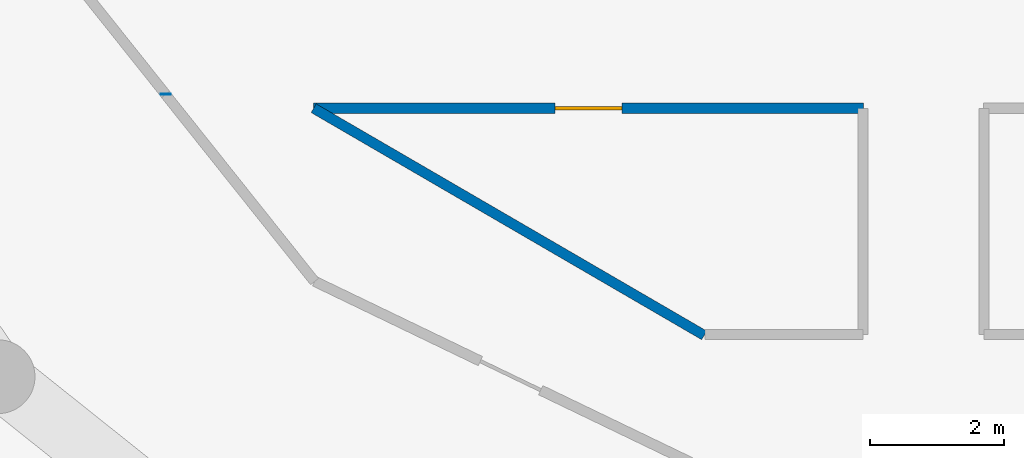
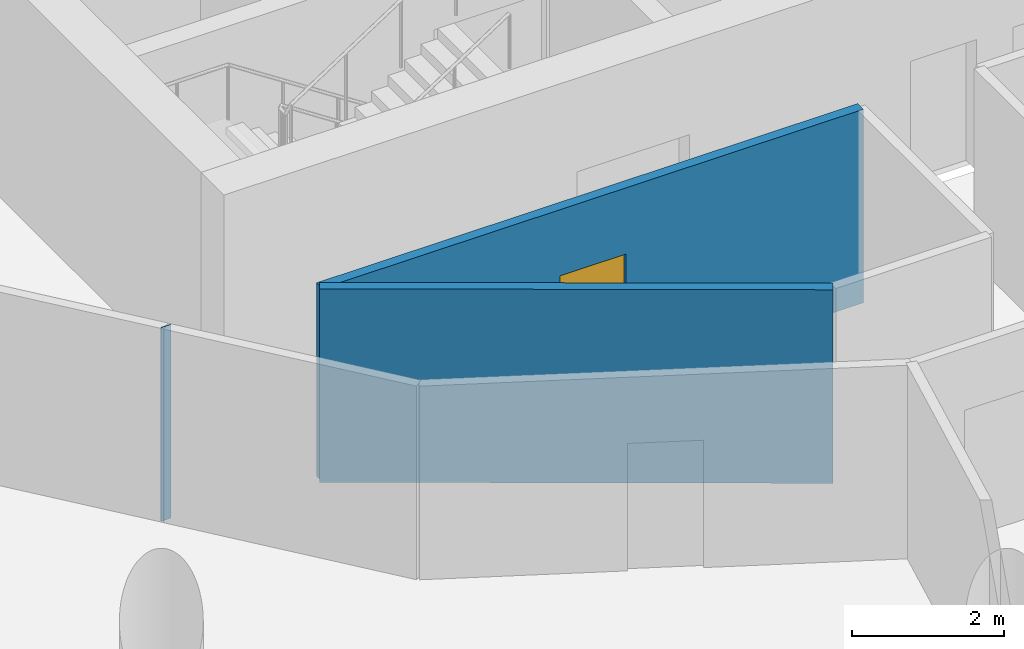
# One storey, part 3 of 13: 3 walls, 1 door, 1 opening.
"""IFC4 building model written with IfcOpenShell, lengths in metres."""

from ifc_helpers import new_model, si_unit, direction, frame, frame_2d, origin, place, context, subcontext, project, spatial, rectangle, extrude, material, layer, layer_set, type_object, element, fill, save


model = new_model("IFC4")

# Units and contexts
model_context = context("Model", 3, precision=1e-05, world=origin(), true_north=direction((0.0, 1.0)))
body_context = subcontext(model_context, "Body", "Model", "MODEL_VIEW")
ifc_project = project(units=[si_unit("LENGTHUNIT", "METRE"), si_unit("AREAUNIT", "SQUARE_METRE"), si_unit("VOLUMEUNIT", "CUBIC_METRE"), si_unit("PLANEANGLEUNIT", "RADIAN"), si_unit("MASSUNIT", "GRAM", prefix="KILO")], contexts=[model_context])

# Site, building, storey
site_placement = place(None, origin())
site = spatial("IfcSite", under=ifc_project, at=site_placement, CompositionType="ELEMENT")
building_placement = place(site_placement, origin())
building = spatial("IfcBuilding", under=site, at=building_placement, Name="Tracery Tower", CompositionType="ELEMENT")
storey_placement = place(building_placement, frame((0.0, 0.0, 270.60009765625)))
storey = spatial("IfcBuildingStorey", under=building, at=storey_placement, Name="L70", CompositionType="ELEMENT", Elevation=270.60009765625)

# Wall, opening, door
ifc_material_1 = material(Name="Plasterboard on steel studs", Category="steel")
ifc_layer = layer(ifc_material_1, 0.14990234375)
ifc_layer_set = layer_set([ifc_layer], Name="Partition 150 corridor wall")
wall_type = type_object("IfcWallType", Name="Partition 150 corridor wall", PredefinedType="PARTITIONING", material=ifc_layer_set)
wall_1_placement = place(storey_placement, frame((-9.092041015625, -8.800048828125, 0.0), z_axis=(0.0, 0.0, 1.0), x_axis=(1.0, 0.0, 0.0)))
wall_1 = element("IfcWall", 1, at=wall_1_placement, inside=storey, type_object=wall_type, Name="Corridor wall RC5-010", PredefinedType="PARTITIONING", context=body_context, shape_type="SweptSolid", body=[
    extrude(rectangle(XDim=8.196044921875, YDim=0.14990234375, at=frame_2d((4.09814453125, 0.0))), origin(), (0.0, 0.0, 1.0), 3.099853515625),
])
opening_placement = place(wall_1_placement, frame((3.597900390625, 0.0, 0.0)))
opening = element("IfcOpeningElement", 2, at=opening_placement, cuts=wall_1, Name="Opening RC5-02", PredefinedType="OPENING", context=body_context, shape_type="SweptSolid", body=[
    extrude(rectangle(XDim=1.0, YDim=2.0400390625, at=frame_2d((0.5, 1.02001953125))), frame((0.0, 0.074951171875, 0.0), z_axis=(0.0, -1.0, 0.0), x_axis=(1.0, 0.0, 0.0)), (0.0, 0.0, 1.0), 0.14990234375),
])
ifc_material_2 = material(Name="Timber door leaf", Category="wood")
door_type = type_object("IfcDoorType", Name="Door communal room 1000", OperationType="NOTDEFINED", PredefinedType="DOOR", material=ifc_material_2)
door_placement = place(opening_placement, origin())
door = element("IfcDoor", 3, at=door_placement, inside=storey, type_object=door_type, Name="Communal room door RC5-02", OperationType="SINGLE_SWING_RIGHT", OverallHeight=2.0400390625, OverallWidth=1.0, PredefinedType="DOOR", context=body_context, shape_type="SweptSolid", body=[
    extrude(rectangle(XDim=1.0, YDim=2.0400390625, at=frame_2d((0.5, 1.02001953125))), frame((0.0, 0.02490234375, 0.0), z_axis=(0.0, -1.0, 0.0), x_axis=(1.0, 0.0, 0.0)), (0.0, 0.0, 1.0), 0.050048828125),
])
fill(opening, door)

# Walls
wall_2_placement = place(storey_placement, frame((-9.092041015625, -8.800048828125, 0.0), z_axis=(0.0, 0.0, 1.0), x_axis=(0.864470922103, -0.502682827277, 0.0)))
element("IfcWall", 4, at=wall_2_placement, inside=storey, type_object=wall_type, Name="Corridor wall RC5-011", PredefinedType="PARTITIONING", context=body_context, shape_type="SweptSolid", body=[
    extrude(rectangle(XDim=6.7353515625, YDim=0.14990234375, at=frame_2d((3.36767578125, 0.0))), origin(), (0.0, 0.0, 1.0), 3.099853515625),
])
wall_3_placement = place(storey_placement, frame((-11.300048828125, -8.59619140625, 0.0), z_axis=(0.0, 0.0, 1.0), x_axis=(0.0, 1.0, 0.0)))
element("IfcWall", 5, at=wall_3_placement, inside=storey, type_object=wall_type, Name="Corridor wall RC5-016", PredefinedType="PARTITIONING", context=body_context, shape_type="SweptSolid", body=[
    extrude(rectangle(XDim=0.01025390625, YDim=0.14990234375, at=frame_2d((0.005126953125, 0.0))), origin(), (0.0, 0.0, 1.0), 3.099853515625),
])

save(model, "model.ifc")
